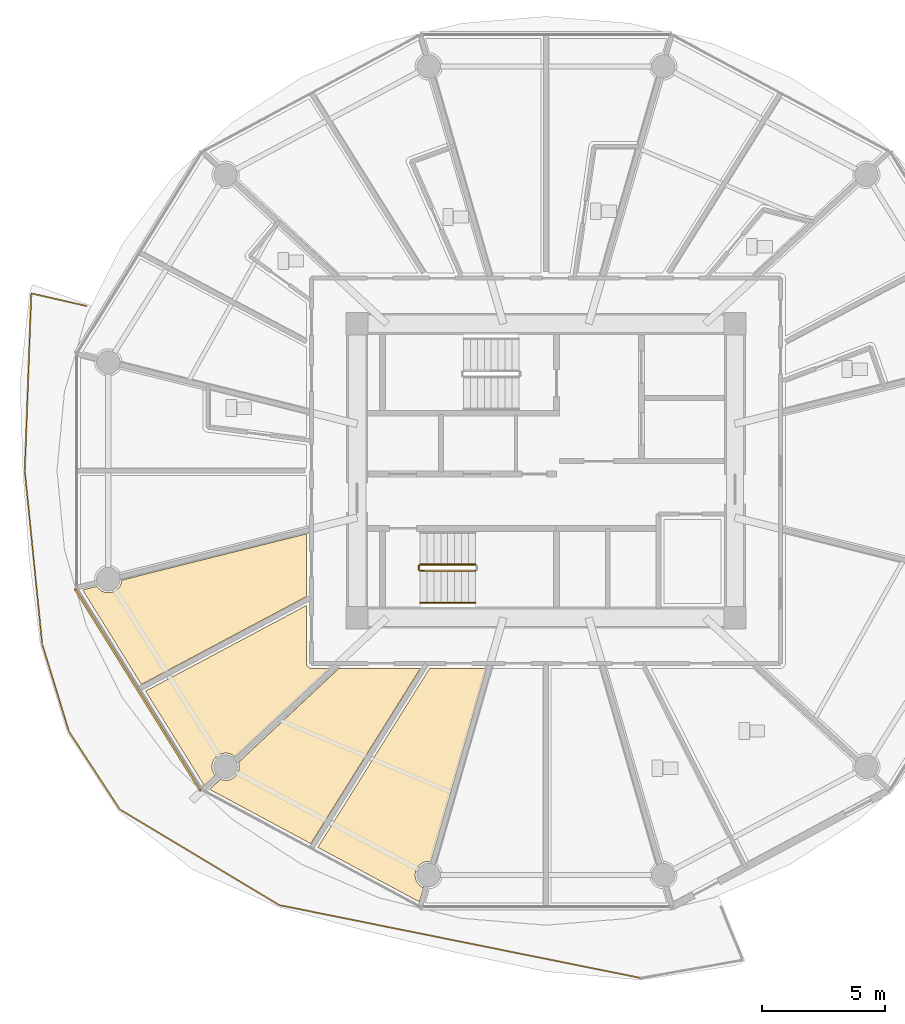
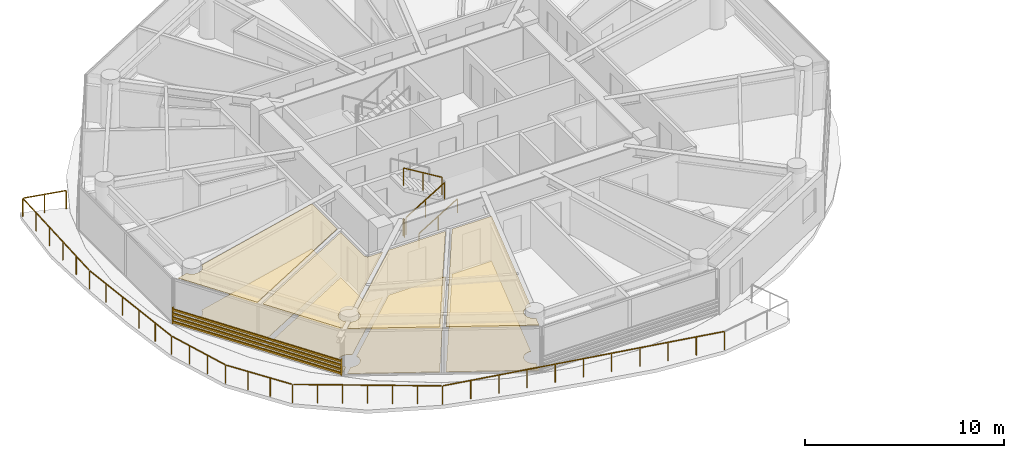
# One storey, part 22 of 31: 8 coverings, 5 railings, 1 shading device.
"""IFC4 building model written with IfcOpenShell, lengths in metres."""

from ifc_helpers import new_model, si_unit, direction, frame, origin, origin_2d, place, context, subcontext, project, spatial, polyline, rectangle, outline, extrude, source, transform, mapped, material, layer, layer_set, type_object, type_shapes, element, save


model = new_model("IFC4")

# Units and contexts
model_context = context("Model", 3, precision=1e-05, world=origin(), true_north=direction((0.0, 1.0)))
body_context = subcontext(model_context, "Body", "Model", "MODEL_VIEW")
ifc_project = project(units=[si_unit("LENGTHUNIT", "METRE"), si_unit("AREAUNIT", "SQUARE_METRE"), si_unit("VOLUMEUNIT", "CUBIC_METRE"), si_unit("PLANEANGLEUNIT", "RADIAN"), si_unit("MASSUNIT", "GRAM", prefix="KILO")], contexts=[model_context])

# Site, building, storey
site_placement = place(None, origin())
site = spatial("IfcSite", under=ifc_project, at=site_placement, CompositionType="ELEMENT")
building_placement = place(site_placement, origin())
building = spatial("IfcBuilding", under=site, at=building_placement, Name="Norrkilde Senior Care Towers", CompositionType="ELEMENT")
storey_placement = place(building_placement, frame((0.0, 0.0, 42.949951171875)))
storey = spatial("IfcBuildingStorey", under=building, at=storey_placement, Name="L12", CompositionType="ELEMENT", Elevation=42.949951171875)

# Railing
ifc_material_1 = material(Name="Anodised Aluminium", Category="aluminium")
railing_type_1 = type_object("IfcRailingType", Name="Balcony Swirl Ribbon Guardrail 1150", PredefinedType="GUARDRAIL", material=ifc_material_1)
railing_1_placement = place(storey_placement, frame((-24.154296875, -20.542236328125, 0.0)))
element("IfcRailing", 1, at=railing_1_placement, inside=storey, type_object=railing_type_1, Name="L12 Perimeter Safety Guard 03", PredefinedType="GUARDRAIL", context=body_context, shape_type="SweptSolid", body=[
    extrude(rectangle(XDim=0.048095703125, YDim=0.048095703125, at=origin_2d()), frame((0.0, 0.0, 1.1259765625), z_axis=(-0.980284834851, 0.197589581103, 0.0), x_axis=(-0.197589581103, -0.980284834851, 0.0)), (0.0, 0.0, 1.0), 14.901123046875),
    extrude(rectangle(XDim=0.048095703125, YDim=0.048095703125, at=origin_2d()), frame((-14.6826171875, 2.973388671875, 1.1259765625), z_axis=(-0.857538689856, 0.514419474166, 0.0), x_axis=(-0.514419474166, -0.857538689856, 0.0)), (0.0, 0.0, 1.0), 7.44921875),
    extrude(rectangle(XDim=0.048095703125, YDim=0.048095703125, at=origin_2d()), frame((-21.1279296875, 6.860595703125, 1.1259765625), z_axis=(-0.546674875699, 0.83734495895, 0.0), x_axis=(-0.83734495895, -0.546674875699, 0.0)), (0.0, 0.0, 1.0), 3.68603515625),
    extrude(rectangle(XDim=0.048095703125, YDim=0.048095703125, at=origin_2d()), frame((-23.17724609375, 10.0205078125, 1.1259765625), z_axis=(-0.292666400295, 0.956214608829, 0.0), x_axis=(-0.956214608829, -0.292666400295, 0.0)), (0.0, 0.0, 1.0), 3.629638671875),
    extrude(rectangle(XDim=0.048095703125, YDim=0.048095703125, at=origin_2d()), frame((-24.255615234375, 13.571044921875, 1.1259765625), z_axis=(-0.099579137738, 0.995029645451, 0.0), x_axis=(-0.995029645451, -0.099579137738, 0.0)), (0.0, 0.0, 1.0), 6.969482421875),
    extrude(rectangle(XDim=0.048095703125, YDim=0.048095703125, at=origin_2d()), frame((-24.9521484375, 20.587158203125, 1.1259765625), z_axis=(0.036639554204, 0.999328546109, 0.0), x_axis=(-0.999328546109, 0.036639554204, 0.0)), (0.0, 0.0, 1.0), 7.101318359375),
    extrude(rectangle(XDim=0.048095703125, YDim=0.048095703125, at=origin_2d()), frame((-24.650634765625, 27.715576171875, 1.1259765625), z_axis=(0.974885679139, -0.222705888135, 0.0), x_axis=(0.222705888135, 0.974885679139, 0.0)), (0.0, 0.0, 1.0), 2.244873046875),
    extrude(rectangle(XDim=0.0419921875, YDim=0.0419921875, at=origin_2d()), origin(), (0.0, 0.0, 1.0), 1.099853515625),
    extrude(rectangle(XDim=0.0419921875, YDim=0.0419921875, at=origin_2d()), frame((-1.46484375, 0.295166015625, 0.0)), (0.0, 0.0, 1.0), 1.099853515625),
    extrude(rectangle(XDim=0.0419921875, YDim=0.0419921875, at=origin_2d()), frame((-2.929443359375, 0.590576171875, 0.0)), (0.0, 0.0, 1.0), 1.099853515625),
    extrude(rectangle(XDim=0.0419921875, YDim=0.0419921875, at=origin_2d()), frame((-4.394287109375, 0.8857421875, 0.0)), (0.0, 0.0, 1.0), 1.099853515625),
    extrude(rectangle(XDim=0.0419921875, YDim=0.0419921875, at=origin_2d()), frame((-5.85888671875, 1.180908203125, 0.0)), (0.0, 0.0, 1.0), 1.099853515625),
    extrude(rectangle(XDim=0.0419921875, YDim=0.0419921875, at=origin_2d()), frame((-7.32373046875, 1.47607421875, 0.0)), (0.0, 0.0, 1.0), 1.099853515625),
    extrude(rectangle(XDim=0.0419921875, YDim=0.0419921875, at=origin_2d()), frame((-8.78857421875, 1.771484375, 0.0)), (0.0, 0.0, 1.0), 1.099853515625),
    extrude(rectangle(XDim=0.0419921875, YDim=0.0419921875, at=origin_2d()), frame((-10.253173828125, 2.066650390625, 0.0)), (0.0, 0.0, 1.0), 1.099853515625),
    extrude(rectangle(XDim=0.0419921875, YDim=0.0419921875, at=origin_2d()), frame((-11.718017578125, 2.36181640625, 0.0)), (0.0, 0.0, 1.0), 1.099853515625),
    extrude(rectangle(XDim=0.0419921875, YDim=0.0419921875, at=origin_2d()), frame((-13.1826171875, 2.6572265625, 0.0)), (0.0, 0.0, 1.0), 1.099853515625),
    extrude(rectangle(XDim=0.0419921875, YDim=0.0419921875, at=origin_2d()), frame((-14.6474609375, 2.952392578125, 0.0)), (0.0, 0.0, 1.0), 1.099853515625),
    extrude(rectangle(XDim=0.0419921875, YDim=0.0419921875, at=origin_2d()), frame((-15.723876953125, 3.59814453125, 0.0)), (0.0, 0.0, 1.0), 1.099853515625),
    extrude(rectangle(XDim=0.0419921875, YDim=0.0419921875, at=origin_2d()), frame((-16.800048828125, 4.24365234375, 0.0)), (0.0, 0.0, 1.0), 1.099853515625),
    extrude(rectangle(XDim=0.0419921875, YDim=0.0419921875, at=origin_2d()), frame((-17.87646484375, 4.889404296875, 0.0)), (0.0, 0.0, 1.0), 1.099853515625),
    extrude(rectangle(XDim=0.0419921875, YDim=0.0419921875, at=origin_2d()), frame((-18.952880859375, 5.53515625, 0.0)), (0.0, 0.0, 1.0), 1.099853515625),
    extrude(rectangle(XDim=0.0419921875, YDim=0.0419921875, at=origin_2d()), frame((-20.029052734375, 6.1806640625, 0.0)), (0.0, 0.0, 1.0), 1.099853515625),
    extrude(rectangle(XDim=0.0419921875, YDim=0.0419921875, at=origin_2d()), frame((-21.10546875, 6.826416015625, 0.0)), (0.0, 0.0, 1.0), 1.099853515625),
    extrude(rectangle(XDim=0.0419921875, YDim=0.0419921875, at=origin_2d()), frame((-21.7919921875, 7.878173828125, 0.0)), (0.0, 0.0, 1.0), 1.099853515625),
    extrude(rectangle(XDim=0.0419921875, YDim=0.0419921875, at=origin_2d()), frame((-22.478759765625, 8.9296875, 0.0)), (0.0, 0.0, 1.0), 1.099853515625),
    extrude(rectangle(XDim=0.0419921875, YDim=0.0419921875, at=origin_2d()), frame((-23.165283203125, 9.9814453125, 0.0)), (0.0, 0.0, 1.0), 1.099853515625),
    extrude(rectangle(XDim=0.0419921875, YDim=0.0419921875, at=origin_2d()), frame((-23.52734375, 11.164306640625, 0.0)), (0.0, 0.0, 1.0), 1.099853515625),
    extrude(rectangle(XDim=0.0419921875, YDim=0.0419921875, at=origin_2d()), frame((-23.889404296875, 12.347412109375, 0.0)), (0.0, 0.0, 1.0), 1.099853515625),
    extrude(rectangle(XDim=0.0419921875, YDim=0.0419921875, at=origin_2d()), frame((-24.25146484375, 13.5302734375, 0.0)), (0.0, 0.0, 1.0), 1.099853515625),
    extrude(rectangle(XDim=0.0419921875, YDim=0.0419921875, at=origin_2d()), frame((-24.391845703125, 14.93359375, 0.0)), (0.0, 0.0, 1.0), 1.099853515625),
    extrude(rectangle(XDim=0.0419921875, YDim=0.0419921875, at=origin_2d()), frame((-24.5322265625, 16.336669921875, 0.0)), (0.0, 0.0, 1.0), 1.099853515625),
    extrude(rectangle(XDim=0.0419921875, YDim=0.0419921875, at=origin_2d()), frame((-24.6728515625, 17.739990234375, 0.0)), (0.0, 0.0, 1.0), 1.099853515625),
    extrude(rectangle(XDim=0.0419921875, YDim=0.0419921875, at=origin_2d()), frame((-24.813232421875, 19.14306640625, 0.0)), (0.0, 0.0, 1.0), 1.099853515625),
    extrude(rectangle(XDim=0.0419921875, YDim=0.0419921875, at=origin_2d()), frame((-24.95361328125, 20.54638671875, 0.0)), (0.0, 0.0, 1.0), 1.099853515625),
    extrude(rectangle(XDim=0.0419921875, YDim=0.0419921875, at=origin_2d()), frame((-24.90087890625, 21.98193359375, 0.0)), (0.0, 0.0, 1.0), 1.099853515625),
    extrude(rectangle(XDim=0.0419921875, YDim=0.0419921875, at=origin_2d()), frame((-24.848388671875, 23.417724609375, 0.0)), (0.0, 0.0, 1.0), 1.099853515625),
    extrude(rectangle(XDim=0.0419921875, YDim=0.0419921875, at=origin_2d()), frame((-24.795654296875, 24.853271484375, 0.0)), (0.0, 0.0, 1.0), 1.099853515625),
    extrude(rectangle(XDim=0.0419921875, YDim=0.0419921875, at=origin_2d()), frame((-24.7431640625, 26.2890625, 0.0)), (0.0, 0.0, 1.0), 1.099853515625),
    extrude(rectangle(XDim=0.0419921875, YDim=0.0419921875, at=origin_2d()), frame((-24.6904296875, 27.724609375, 0.0)), (0.0, 0.0, 1.0), 1.099853515625),
    extrude(rectangle(XDim=0.0419921875, YDim=0.0419921875, at=origin_2d()), frame((-23.576171875, 27.47021484375, 0.0)), (0.0, 0.0, 1.0), 1.099853515625),
    extrude(rectangle(XDim=0.0419921875, YDim=0.0419921875, at=origin_2d()), frame((-22.462158203125, 27.215576171875, 0.0)), (0.0, 0.0, 1.0), 1.099853515625),
])

# Coverings
ifc_material_2 = material(Name="Gypsum Acoustic Board")
ifc_layer_1 = layer(ifc_material_2, 0.030029296875)
ifc_layer_set_1 = layer_set([ifc_layer_1], Name="Gypsum Acoustic Board")
covering_type_1 = type_object("IfcCoveringType", Name="Medical Cleanable Gypsum Ceiling 30", PredefinedType="CEILING", material=ifc_layer_set_1)
covering_1_placement = place(storey_placement, frame((0.0, 0.0, 2.760009765625)))
element("IfcCovering", 2, at=covering_1_placement, inside=storey, type_object=covering_type_1, Name="L12 Suspended Ceiling 0170", PredefinedType="CEILING", context=body_context, shape_type="SweptSolid", body=[
    extrude(outline(polyline([(-46.19140625, -4.6826171875), (-46.1171875, -4.779541015625), (-46.002197265625, -4.86767578125), (-45.868408203125, -4.923095703125), (-45.724853515625, -4.94189453125), (-45.5810546875, -4.923095703125), (-45.447265625, -4.86767578125), (-45.332275390625, -4.779541015625), (-45.244140625, -4.66455078125), (-45.188720703125, -4.530517578125), (-45.175048828125, -4.427978515625), (-37.699951171875, -2.5546875), (-37.699951171875, -5.09228515625), (-44.385498046875, -8.65234375), (-46.763916015625, -4.826171875), (-46.19140625, -4.6826171875)])), origin(), (0.0, 0.0, 1.0), 0.030029296875),
])
covering_2_placement = place(storey_placement, frame((0.0, 0.0, 2.760009765625)))
element("IfcCovering", 3, at=covering_2_placement, inside=storey, type_object=covering_type_1, Name="L12 Suspended Ceiling 0171", PredefinedType="CEILING", context=body_context, shape_type="SweptSolid", body=[
    extrude(outline(polyline([(-37.6982421875, -7.825439453125), (-37.697265625, -7.833251953125), (-37.69482421875, -7.8447265625), (-37.69287109375, -7.852294921875), (-37.689453125, -7.86376953125), (-37.68701171875, -7.87109375), (-37.682373046875, -7.8818359375), (-37.678955078125, -7.888916015625), (-37.673583984375, -7.8994140625), (-37.66943359375, -7.90625), (-37.662841796875, -7.916015625), (-37.658203125, -7.92236328125), (-37.65087890625, -7.931396484375), (-37.6455078125, -7.937255859375), (-37.63720703125, -7.945556640625), (-37.63134765625, -7.95068359375), (-37.622314453125, -7.958251953125), (-37.615966796875, -7.962890625), (-37.606201171875, -7.969482421875), (-37.599365234375, -7.973388671875), (-37.589111328125, -7.97900390625), (-37.58203125, -7.982421875), (-37.571044921875, -7.98681640625), (-37.563720703125, -7.989501953125), (-37.552490234375, -7.992919921875), (-37.544677734375, -7.994873046875), (-37.533203125, -7.9970703125), (-37.525390625, -7.998291015625), (-37.513671875, -7.99951171875), (-37.505859375, -7.999755859375), (-37.5, -8.0), (-36.72900390625, -8.0), (-40.577880859375, -11.599853515625), (-40.5830078125, -11.593017578125), (-40.697998046875, -11.5048828125), (-40.831787109375, -11.449462890625), (-40.975341796875, -11.430419921875), (-41.119140625, -11.449462890625), (-41.2529296875, -11.5048828125), (-41.367919921875, -11.593017578125), (-41.4560546875, -11.7080078125), (-41.511474609375, -11.841796875), (-41.530517578125, -11.9853515625), (-41.511474609375, -12.129150390625), (-41.4560546875, -12.262939453125), (-41.38525390625, -12.35498046875), (-41.826904296875, -12.76806640625), (-44.216064453125, -8.924560546875), (-37.699951171875, -5.454833984375), (-37.699951171875, -7.800048828125), (-37.699951171875, -7.805908203125), (-37.699462890625, -7.813720703125), (-37.6982421875, -7.825439453125)])), origin(), (0.0, 0.0, 1.0), 0.030029296875),
])
covering_3_placement = place(storey_placement, frame((0.0, 0.0, 2.760009765625)))
element("IfcCovering", 4, at=covering_3_placement, inside=storey, type_object=covering_type_1, Name="L12 Suspended Ceiling 0172", PredefinedType="CEILING", context=body_context, shape_type="SweptSolid", body=[
    extrude(outline(polyline([(-41.183349609375, -12.494873046875), (-41.119140625, -12.521484375), (-40.975341796875, -12.54052734375), (-40.831787109375, -12.521484375), (-40.697998046875, -12.466064453125), (-40.5830078125, -12.3779296875), (-40.494873046875, -12.262939453125), (-40.439208984375, -12.129150390625), (-40.42041015625, -11.9853515625), (-40.439208984375, -11.841796875), (-40.4521484375, -11.810791015625), (-36.377685546875, -8.0), (-33.089111328125, -8.0), (-37.52587890625, -15.10009765625), (-41.62109375, -12.904296875), (-41.183349609375, -12.494873046875)])), origin(), (0.0, 0.0, 1.0), 0.030029296875),
])
covering_4_placement = place(storey_placement, frame((0.0, 0.0, 2.760009765625)))
element("IfcCovering", 5, at=covering_4_placement, inside=storey, type_object=covering_type_1, Name="L12 Suspended Ceiling 0173", PredefinedType="CEILING", context=body_context, shape_type="SweptSolid", body=[
    extrude(outline(polyline([(-32.711669921875, -8.0), (-30.416748046875, -8.0), (-32.65966796875, -15.829345703125), (-32.749267578125, -15.8173828125), (-32.89306640625, -15.83642578125), (-33.02685546875, -15.891845703125), (-33.141845703125, -15.97998046875), (-33.22998046875, -16.094970703125), (-33.285400390625, -16.228759765625), (-33.304443359375, -16.37255859375), (-33.285400390625, -16.51611328125), (-33.22998046875, -16.64990234375), (-33.141845703125, -16.764892578125), (-33.02685546875, -16.85302734375), (-32.960693359375, -16.88037109375), (-33.12646484375, -17.458984375), (-37.2431640625, -15.251708984375), (-32.711669921875, -8.0)])), origin(), (0.0, 0.0, 1.0), 0.030029296875),
])
ifc_material_3 = material(Name="Slip-Resistant Porcelain Stone", Category="masonry")
ifc_layer_2 = layer(ifc_material_3, 0.02490234375)
ifc_layer_set_2 = layer_set([ifc_layer_2], Name="Slip-Resistant Porcelain Stone")
covering_type_2 = type_object("IfcCoveringType", Name="Slip-Resistant Porcelain Flooring 25", PredefinedType="FLOORING", material=ifc_layer_set_2)
covering_5_placement = place(storey_placement, origin())
element("IfcCovering", 6, at=covering_5_placement, inside=storey, type_object=covering_type_2, Name="L12 Floor Finish 0170", PredefinedType="FLOORING", context=body_context, shape_type="SweptSolid", body=[
    extrude(outline(polyline([(-46.19140625, -4.6826171875), (-46.1171875, -4.779541015625), (-46.002197265625, -4.86767578125), (-45.868408203125, -4.923095703125), (-45.724853515625, -4.94189453125), (-45.5810546875, -4.923095703125), (-45.447265625, -4.86767578125), (-45.332275390625, -4.779541015625), (-45.244140625, -4.66455078125), (-45.188720703125, -4.530517578125), (-45.175048828125, -4.427978515625), (-37.699951171875, -2.5546875), (-37.699951171875, -5.09228515625), (-44.385498046875, -8.65234375), (-46.763916015625, -4.826171875), (-46.19140625, -4.6826171875)])), origin(), (0.0, 0.0, 1.0), 0.025146484375),
])
covering_6_placement = place(storey_placement, origin())
element("IfcCovering", 7, at=covering_6_placement, inside=storey, type_object=covering_type_2, Name="L12 Floor Finish 0171", PredefinedType="FLOORING", context=body_context, shape_type="SweptSolid", body=[
    extrude(outline(polyline([(-37.6982421875, -7.825439453125), (-37.697265625, -7.833251953125), (-37.69482421875, -7.8447265625), (-37.69287109375, -7.852294921875), (-37.689453125, -7.86376953125), (-37.68701171875, -7.87109375), (-37.682373046875, -7.8818359375), (-37.678955078125, -7.888916015625), (-37.673583984375, -7.8994140625), (-37.66943359375, -7.90625), (-37.662841796875, -7.916015625), (-37.658203125, -7.92236328125), (-37.65087890625, -7.931396484375), (-37.6455078125, -7.937255859375), (-37.63720703125, -7.945556640625), (-37.63134765625, -7.95068359375), (-37.622314453125, -7.958251953125), (-37.615966796875, -7.962890625), (-37.606201171875, -7.969482421875), (-37.599365234375, -7.973388671875), (-37.589111328125, -7.97900390625), (-37.58203125, -7.982421875), (-37.571044921875, -7.98681640625), (-37.563720703125, -7.989501953125), (-37.552490234375, -7.992919921875), (-37.544677734375, -7.994873046875), (-37.533203125, -7.9970703125), (-37.525390625, -7.998291015625), (-37.513671875, -7.99951171875), (-37.505859375, -7.999755859375), (-37.5, -8.0), (-36.72900390625, -8.0), (-40.577880859375, -11.599853515625), (-40.5830078125, -11.593017578125), (-40.697998046875, -11.5048828125), (-40.831787109375, -11.449462890625), (-40.975341796875, -11.430419921875), (-41.119140625, -11.449462890625), (-41.2529296875, -11.5048828125), (-41.367919921875, -11.593017578125), (-41.4560546875, -11.7080078125), (-41.511474609375, -11.841796875), (-41.530517578125, -11.9853515625), (-41.511474609375, -12.129150390625), (-41.4560546875, -12.262939453125), (-41.38525390625, -12.35498046875), (-41.826904296875, -12.76806640625), (-44.216064453125, -8.924560546875), (-37.699951171875, -5.454833984375), (-37.699951171875, -7.800048828125), (-37.699951171875, -7.805908203125), (-37.699462890625, -7.813720703125), (-37.6982421875, -7.825439453125)])), origin(), (0.0, 0.0, 1.0), 0.025146484375),
])
covering_7_placement = place(storey_placement, origin())
element("IfcCovering", 8, at=covering_7_placement, inside=storey, type_object=covering_type_2, Name="L12 Floor Finish 0172", PredefinedType="FLOORING", context=body_context, shape_type="SweptSolid", body=[
    extrude(outline(polyline([(-41.183349609375, -12.494873046875), (-41.119140625, -12.521484375), (-40.975341796875, -12.54052734375), (-40.831787109375, -12.521484375), (-40.697998046875, -12.466064453125), (-40.5830078125, -12.3779296875), (-40.494873046875, -12.262939453125), (-40.439208984375, -12.129150390625), (-40.42041015625, -11.9853515625), (-40.439208984375, -11.841796875), (-40.4521484375, -11.810791015625), (-36.377685546875, -8.0), (-33.089111328125, -8.0), (-37.52587890625, -15.10009765625), (-41.62109375, -12.904296875), (-41.183349609375, -12.494873046875)])), origin(), (0.0, 0.0, 1.0), 0.025146484375),
])
covering_8_placement = place(storey_placement, origin())
element("IfcCovering", 9, at=covering_8_placement, inside=storey, type_object=covering_type_2, Name="L12 Floor Finish 0173", PredefinedType="FLOORING", context=body_context, shape_type="SweptSolid", body=[
    extrude(outline(polyline([(-32.711669921875, -8.0), (-30.416748046875, -8.0), (-32.65966796875, -15.829345703125), (-32.749267578125, -15.8173828125), (-32.89306640625, -15.83642578125), (-33.02685546875, -15.891845703125), (-33.141845703125, -15.97998046875), (-33.22998046875, -16.094970703125), (-33.285400390625, -16.228759765625), (-33.304443359375, -16.37255859375), (-33.285400390625, -16.51611328125), (-33.22998046875, -16.64990234375), (-33.141845703125, -16.764892578125), (-33.02685546875, -16.85302734375), (-32.960693359375, -16.88037109375), (-33.12646484375, -17.458984375), (-37.2431640625, -15.251708984375), (-32.711669921875, -8.0)])), origin(), (0.0, 0.0, 1.0), 0.025146484375),
])

# Railings
ifc_material_4 = material(Name="Stainless Steel", Category="steel")
railing_type_2 = type_object("IfcRailingType", Name="Stair and Terrace Guardrail 1100", PredefinedType="GUARDRAIL", material=ifc_material_4)
railing_2_placement = place(storey_placement, frame((-33.10009765625, -4.050048828125, 0.16943359375)))
element("IfcRailing", 10, at=railing_2_placement, inside=storey, type_object=railing_type_2, Name="L12 ST-W2 stair guard 1", PredefinedType="GUARDRAIL", context=body_context, shape_type="SweptSolid", body=[
    extrude(rectangle(XDim=0.048095703125, YDim=0.048095703125, at=origin_2d()), frame((0.0, 0.0, 1.076171875), z_axis=(0.855512035549, 0.0, 0.517782924622), x_axis=(0.0, 1.0, 0.0)), (0.0, 0.0, 1.0), 2.618408203125),
    extrude(rectangle(XDim=0.0419921875, YDim=0.0419921875, at=origin_2d()), origin(), (0.0, 0.0, 1.0), 1.050048828125),
    extrude(rectangle(XDim=0.0419921875, YDim=0.0419921875, at=origin_2d()), frame((1.1201171875, 0.0, 0.677734375)), (0.0, 0.0, 1.0), 1.050048828125),
    extrude(rectangle(XDim=0.0419921875, YDim=0.0419921875, at=origin_2d()), frame((2.239990234375, 0.0, 1.355712890625)), (0.0, 0.0, 1.0), 1.050048828125),
])
railing_3_placement = place(storey_placement, frame((-30.860107421875, -3.800048828125, 1.694580078125)))
element("IfcRailing", 11, at=railing_3_placement, inside=storey, type_object=railing_type_2, Name="L12 ST-W2 stair guard 3", PredefinedType="GUARDRAIL", context=body_context, shape_type="SweptSolid", body=[
    extrude(rectangle(XDim=0.048095703125, YDim=0.048095703125, at=origin_2d()), frame((0.0, 0.0, 1.076171875), z_axis=(-0.855553338991, 0.0, 0.51771467445), x_axis=(0.0, -1.0, 0.0)), (0.0, 0.0, 1.0), 2.6181640625),
    extrude(rectangle(XDim=0.0419921875, YDim=0.0419921875, at=origin_2d()), origin(), (0.0, 0.0, 1.0), 1.050048828125),
    extrude(rectangle(XDim=0.0419921875, YDim=0.0419921875, at=origin_2d()), frame((-1.1201171875, 0.0, 0.677734375)), (0.0, 0.0, 1.0), 1.050048828125),
    extrude(rectangle(XDim=0.0419921875, YDim=0.0419921875, at=origin_2d()), frame((-2.239990234375, 0.0, 1.35546875)), (0.0, 0.0, 1.0), 1.050048828125),
])
railing_4_placement = place(storey_placement, frame((-33.14990234375, -4.0, 0.0)))
element("IfcRailing", 12, at=railing_4_placement, inside=storey, type_object=railing_type_2, Name="L12 ST-W2 stair guard 4", PredefinedType="GUARDRAIL", context=body_context, shape_type="SweptSolid", body=[
    extrude(rectangle(XDim=0.048095703125, YDim=0.048095703125, at=origin_2d()), frame((0.0, 0.0, 1.076171875), z_axis=(0.0, 1.0, 0.0), x_axis=(-1.0, 0.0, 0.0)), (0.0, 0.0, 1.0), 0.14990234375),
    extrude(rectangle(XDim=0.0419921875, YDim=0.0419921875, at=origin_2d()), origin(), (0.0, 0.0, 1.0), 1.050048828125),
    extrude(rectangle(XDim=0.0419921875, YDim=0.0419921875, at=origin_2d()), frame((0.0, 0.14990234375, 0.0)), (0.0, 0.0, 1.0), 1.050048828125),
])
ifc_material_5 = material(Name="Nordic Ash Timber", Category="wood")
railing_type_3 = type_object("IfcRailingType", Name="Wall and Stair Handrail 900", PredefinedType="HANDRAIL", material=ifc_material_5)
railing_5_placement = place(storey_placement, frame((-33.10009765625, -5.35009765625, 0.16943359375)))
element("IfcRailing", 13, at=railing_5_placement, inside=storey, type_object=railing_type_3, Name="L12 ST-W2 stair handrail 1", PredefinedType="HANDRAIL", context=body_context, shape_type="SweptSolid", body=[
    extrude(rectangle(XDim=0.048095703125, YDim=0.048095703125, at=origin_2d()), frame((0.0, 0.0, 0.8759765625), z_axis=(0.855512035549, 0.0, 0.517782924622), x_axis=(0.0, 1.0, 0.0)), (0.0, 0.0, 1.0), 2.618408203125),
    extrude(rectangle(XDim=0.0419921875, YDim=0.0419921875, at=origin_2d()), origin(), (0.0, 0.0, 1.0), 0.849853515625),
    extrude(rectangle(XDim=0.0419921875, YDim=0.0419921875, at=origin_2d()), frame((1.1201171875, 0.0, 0.677734375)), (0.0, 0.0, 1.0), 0.849853515625),
    extrude(rectangle(XDim=0.0419921875, YDim=0.0419921875, at=origin_2d()), frame((2.239990234375, 0.0, 1.355712890625)), (0.0, 0.0, 1.0), 0.849853515625),
])

# Shading device
ifc_material_6 = material(Name="Architectural Terracotta", Category="masonry")
shading_device_type = type_object("IfcShadingDeviceType", Name="Horizontal Terracotta Baguette Rack", PredefinedType="USERDEFINED", material=ifc_material_6)
shared_shape = source(origin(), body_context, "Body", "SweptSolid", [
    extrude(rectangle(XDim=0.070068359375, YDim=0.110107421875, at=origin_2d()), frame((0.0, 0.090087890625, 0.125), z_axis=(1.0, 0.0, 0.0), x_axis=(0.0, 1.0, 0.0)), (0.0, 0.0, 1.0), 9.64892578125),
    extrude(rectangle(XDim=0.070068359375, YDim=0.110107421875, at=origin_2d()), frame((0.0, 0.090087890625, 0.375), z_axis=(1.0, 0.0, 0.0), x_axis=(0.0, 1.0, 0.0)), (0.0, 0.0, 1.0), 9.64892578125),
    extrude(rectangle(XDim=0.070068359375, YDim=0.110107421875, at=origin_2d()), frame((0.0, 0.090087890625, 0.625), z_axis=(1.0, 0.0, 0.0), x_axis=(0.0, 1.0, 0.0)), (0.0, 0.0, 1.0), 9.64892578125),
    extrude(rectangle(XDim=0.070068359375, YDim=0.110107421875, at=origin_2d()), frame((0.0, 0.090087890625, 0.875), z_axis=(1.0, 0.0, 0.0), x_axis=(0.0, 1.0, 0.0)), (0.0, 0.0, 1.0), 9.64892578125),
    extrude(rectangle(XDim=0.050048828125, YDim=0.1552734375, at=origin_2d()), frame((0.02490234375, 0.047607421875, 0.0)), (0.0, 0.0, 1.0), 1.0),
    extrude(rectangle(XDim=0.050048828125, YDim=0.1552734375, at=origin_2d()), frame((9.6240234375, 0.047607421875, 0.0)), (0.0, 0.0, 1.0), 1.0),
])
type_shapes(shading_device_type, [shared_shape])
shading_device_placement = place(storey_placement, frame((-41.915771484375, -12.926025390625, 0.080078125), z_axis=(0.0, 0.0, 1.0), x_axis=(-0.527908506655, 0.849299124538, 0.0)))
element("IfcShadingDevice", 14, at=shading_device_placement, inside=storey, type_object=shading_device_type, Name="L12 Drum W Terracotta Baguette Screen 06", ObjectType="BAGUETTE", PredefinedType="USERDEFINED", context=body_context, shape_type="MappedRepresentation", body=[
    mapped(shared_shape, transform((0.0, 0.0, 0.0), x_axis=(1.0, 0.0, 0.0), y_axis=(0.0, 1.0, 0.0), z_axis=(0.0, 0.0, 1.0), scale=1.0)),
])

save(model, "model.ifc")
